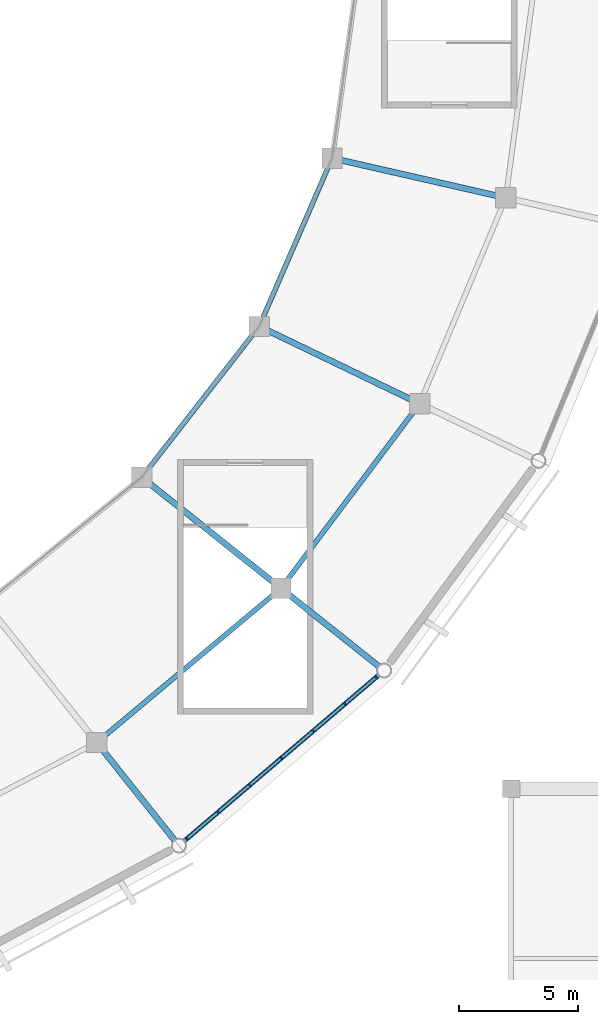
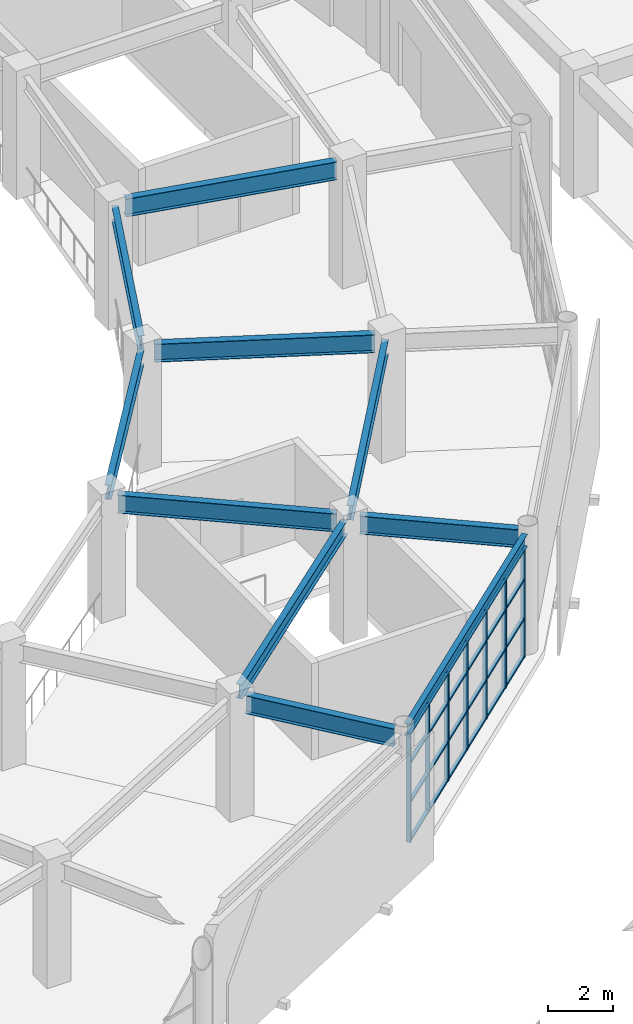
# One storey, part 33 of 112: 31 members, 10 beams, 1 element without a shape of its own.
"""IFC4 building model written with IfcOpenShell, lengths in metres."""

from ifc_helpers import new_model, si_unit, direction, frame, origin, origin_2d, place, context, subcontext, project, spatial, rectangle, i_section, extrude, material, material_profile, profile_set, type_object, element, aggregate, save


model = new_model("IFC4")

# Units and contexts
model_context = context("Model", 3, precision=1e-05, world=origin(), true_north=direction((0.0, 1.0)))
body_context = subcontext(model_context, "Body", "Model", "MODEL_VIEW")
ifc_project = project(units=[si_unit("LENGTHUNIT", "METRE"), si_unit("AREAUNIT", "SQUARE_METRE"), si_unit("VOLUMEUNIT", "CUBIC_METRE"), si_unit("PLANEANGLEUNIT", "RADIAN"), si_unit("MASSUNIT", "GRAM", prefix="KILO")], contexts=[model_context])

# Site, building, storey
site_placement = place(None, origin())
site = spatial("IfcSite", under=ifc_project, at=site_placement, CompositionType="ELEMENT")
building_placement = place(site_placement, origin())
building = spatial("IfcBuilding", under=site, at=building_placement, Name="Cuetzalor Civic Arena", CompositionType="ELEMENT")
storey_placement = place(building_placement, frame((0.0, 0.0, 11.39990234375)))
storey = spatial("IfcBuildingStorey", under=building, at=storey_placement, Name="L02", CompositionType="ELEMENT", Elevation=11.39990234375)

# Curtain wall, members
ifc_material_1 = material(Name="Anodised dark bronze aluminium and low-E solar glass", Category="aluminium")
curtain_wall_type = type_object("IfcCurtainWallType", Name="UnitisedCW_10550x4050", PredefinedType="USERDEFINED", material=ifc_material_1)
curtain_wall_placement = place(storey_placement, origin())
curtain_wall = element("IfcCurtainWall", 1, at=curtain_wall_placement, inside=storey, type_object=curtain_wall_type, Name="Drum Triangle Foyer Curtain Wall L02-043", ObjectType="UNITISED CURTAIN WALL", PredefinedType="USERDEFINED")
ifc_material_2 = material(Name="Anodised dark bronze aluminium", Category="aluminium")
ifc_material_profile_1 = material_profile(ifc_material_2, rectangle(XDim=0.06494140625, YDim=0.14990234375, at=origin_2d()), Name="ALU MULLION 65x150")
ifc_profile_set_1 = profile_set([ifc_material_profile_1], Name="Anodised dark bronze aluminium")
member_type_1 = type_object("IfcMemberType", Name="CurtainWallMullion_60x150", PredefinedType="MULLION", material=ifc_profile_set_1)
member_1_placement = place(storey_placement, frame((42.310791015625, -29.31201171875, 0.0), z_axis=(0.0, 0.0, 1.0), x_axis=(-0.760677142663, -0.64913040649, 0.0)))
member_1 = element("IfcMember", 2, at=member_1_placement, type_object=member_type_1, Name="CW-16 mullion 1", PredefinedType="MULLION", context=body_context, shape_type="SweptSolid", body=[
    extrude(rectangle(XDim=0.06494140625, YDim=0.14990234375, at=origin_2d()), origin(), (0.0, 0.0, 1.0), 4.052978515625),
])
member_2_placement = place(storey_placement, frame((41.00048828125, -30.43017578125, 0.0), z_axis=(0.0, 0.0, 1.0), x_axis=(-0.760677142663, -0.64913040649, 0.0)))
member_2 = element("IfcMember", 3, at=member_2_placement, type_object=member_type_1, Name="CW-16 mullion 2", PredefinedType="MULLION", context=body_context, shape_type="SweptSolid", body=[
    extrude(rectangle(XDim=0.06494140625, YDim=0.14990234375, at=origin_2d()), origin(), (0.0, 0.0, 1.0), 4.052978515625),
])
member_3_placement = place(storey_placement, frame((39.665283203125, -31.569580078125, 0.0), z_axis=(0.0, 0.0, 1.0), x_axis=(-0.760677142663, -0.64913040649, 0.0)))
member_3 = element("IfcMember", 4, at=member_3_placement, type_object=member_type_1, Name="CW-16 mullion 3", PredefinedType="MULLION", context=body_context, shape_type="SweptSolid", body=[
    extrude(rectangle(XDim=0.06494140625, YDim=0.14990234375, at=origin_2d()), origin(), (0.0, 0.0, 1.0), 4.052978515625),
])
member_4_placement = place(storey_placement, frame((38.330078125, -32.708984375, 0.0), z_axis=(0.0, 0.0, 1.0), x_axis=(-0.760677142663, -0.64913040649, 0.0)))
member_4 = element("IfcMember", 5, at=member_4_placement, type_object=member_type_1, Name="CW-16 mullion 4", PredefinedType="MULLION", context=body_context, shape_type="SweptSolid", body=[
    extrude(rectangle(XDim=0.06494140625, YDim=0.14990234375, at=origin_2d()), origin(), (0.0, 0.0, 1.0), 4.052978515625),
])
member_5_placement = place(storey_placement, frame((36.9951171875, -33.84814453125, 0.0), z_axis=(0.0, 0.0, 1.0), x_axis=(-0.760677142663, -0.64913040649, 0.0)))
member_5 = element("IfcMember", 6, at=member_5_placement, type_object=member_type_1, Name="CW-16 mullion 5", PredefinedType="MULLION", context=body_context, shape_type="SweptSolid", body=[
    extrude(rectangle(XDim=0.06494140625, YDim=0.14990234375, at=origin_2d()), origin(), (0.0, 0.0, 1.0), 4.052978515625),
])
member_6_placement = place(storey_placement, frame((35.659912109375, -34.987548828125, 0.0), z_axis=(0.0, 0.0, 1.0), x_axis=(-0.760677142663, -0.64913040649, 0.0)))
member_6 = element("IfcMember", 7, at=member_6_placement, type_object=member_type_1, Name="CW-16 mullion 6", PredefinedType="MULLION", context=body_context, shape_type="SweptSolid", body=[
    extrude(rectangle(XDim=0.06494140625, YDim=0.14990234375, at=origin_2d()), origin(), (0.0, 0.0, 1.0), 4.052978515625),
])
member_7_placement = place(storey_placement, frame((34.349609375, -36.105712890625, 0.0), z_axis=(0.0, 0.0, 1.0), x_axis=(-0.760677142663, -0.64913040649, 0.0)))
member_7 = element("IfcMember", 8, at=member_7_placement, type_object=member_type_1, Name="CW-16 mullion 7", PredefinedType="MULLION", context=body_context, shape_type="SweptSolid", body=[
    extrude(rectangle(XDim=0.06494140625, YDim=0.14990234375, at=origin_2d()), origin(), (0.0, 0.0, 1.0), 4.052978515625),
])
ifc_material_3 = material(Name="Anodised dark bronze aluminium", Category="aluminium")
ifc_material_profile_2 = material_profile(ifc_material_3, rectangle(XDim=0.1201171875, YDim=0.06494140625, at=origin_2d()), Name="ALU TRANSOM 65x120")
ifc_profile_set_2 = profile_set([ifc_material_profile_2], Name="Anodised dark bronze aluminium")
member_type_2 = type_object("IfcMemberType", Name="CurtainWallTransom_60x120", PredefinedType="USERDEFINED", material=ifc_profile_set_2)
member_8_placement = place(storey_placement, frame((42.2861328125, -29.3330078125, 0.03271484375), z_axis=(-0.760647860906, -0.649164718465, 0.0), x_axis=(0.649164718465, -0.760647860906, 0.0)))
member_8 = element("IfcMember", 9, at=member_8_placement, type_object=member_type_2, Name="CW-16 transom 1.1", ObjectType="TRANSOM", PredefinedType="USERDEFINED", context=body_context, shape_type="SweptSolid", body=[
    extrude(rectangle(XDim=0.1201171875, YDim=0.06494140625, at=origin_2d()), origin(), (0.0, 0.0, 1.0), 1.65771484375),
])
member_9_placement = place(storey_placement, frame((42.2861328125, -29.3330078125, 1.458984375), z_axis=(-0.760647860906, -0.649164718465, 0.0), x_axis=(0.649164718465, -0.760647860906, 0.0)))
member_9 = element("IfcMember", 10, at=member_9_placement, type_object=member_type_2, Name="CW-16 transom 1.2", ObjectType="TRANSOM", PredefinedType="USERDEFINED", context=body_context, shape_type="SweptSolid", body=[
    extrude(rectangle(XDim=0.1201171875, YDim=0.06494140625, at=origin_2d()), origin(), (0.0, 0.0, 1.0), 1.65771484375),
])
member_10_placement = place(storey_placement, frame((42.2861328125, -29.3330078125, 2.918212890625), z_axis=(-0.760647860906, -0.649164718465, 0.0), x_axis=(0.649164718465, -0.760647860906, 0.0)))
member_10 = element("IfcMember", 11, at=member_10_placement, type_object=member_type_2, Name="CW-16 transom 1.3", ObjectType="TRANSOM", PredefinedType="USERDEFINED", context=body_context, shape_type="SweptSolid", body=[
    extrude(rectangle(XDim=0.1201171875, YDim=0.06494140625, at=origin_2d()), origin(), (0.0, 0.0, 1.0), 1.65771484375),
])
member_11_placement = place(storey_placement, frame((42.2861328125, -29.3330078125, 4.0205078125), z_axis=(-0.760647860906, -0.649164718465, 0.0), x_axis=(0.649164718465, -0.760647860906, 0.0)))
member_11 = element("IfcMember", 12, at=member_11_placement, type_object=member_type_2, Name="CW-16 transom 1.4", ObjectType="TRANSOM", PredefinedType="USERDEFINED", context=body_context, shape_type="SweptSolid", body=[
    extrude(rectangle(XDim=0.1201171875, YDim=0.06494140625, at=origin_2d()), origin(), (0.0, 0.0, 1.0), 1.65771484375),
])
member_12_placement = place(storey_placement, frame((40.9755859375, -30.451416015625, 0.03271484375), z_axis=(-0.760661918834, -0.649148245963, 0.0), x_axis=(0.649148245963, -0.760661918834, 0.0)))
member_12 = element("IfcMember", 13, at=member_12_placement, type_object=member_type_2, Name="CW-16 transom 2.1", ObjectType="TRANSOM", PredefinedType="USERDEFINED", context=body_context, shape_type="SweptSolid", body=[
    extrude(rectangle(XDim=0.1201171875, YDim=0.06494140625, at=origin_2d()), origin(), (0.0, 0.0, 1.0), 1.690185546875),
])
member_13_placement = place(storey_placement, frame((40.9755859375, -30.451416015625, 1.458984375), z_axis=(-0.760661918834, -0.649148245963, 0.0), x_axis=(0.649148245963, -0.760661918834, 0.0)))
member_13 = element("IfcMember", 14, at=member_13_placement, type_object=member_type_2, Name="CW-16 transom 2.2", ObjectType="TRANSOM", PredefinedType="USERDEFINED", context=body_context, shape_type="SweptSolid", body=[
    extrude(rectangle(XDim=0.1201171875, YDim=0.06494140625, at=origin_2d()), origin(), (0.0, 0.0, 1.0), 1.690185546875),
])
member_14_placement = place(storey_placement, frame((40.9755859375, -30.451416015625, 2.918212890625), z_axis=(-0.760661918834, -0.649148245963, 0.0), x_axis=(0.649148245963, -0.760661918834, 0.0)))
member_14 = element("IfcMember", 15, at=member_14_placement, type_object=member_type_2, Name="CW-16 transom 2.3", ObjectType="TRANSOM", PredefinedType="USERDEFINED", context=body_context, shape_type="SweptSolid", body=[
    extrude(rectangle(XDim=0.1201171875, YDim=0.06494140625, at=origin_2d()), origin(), (0.0, 0.0, 1.0), 1.690185546875),
])
member_15_placement = place(storey_placement, frame((40.9755859375, -30.451416015625, 4.0205078125), z_axis=(-0.760661918834, -0.649148245963, 0.0), x_axis=(0.649148245963, -0.760661918834, 0.0)))
member_15 = element("IfcMember", 16, at=member_15_placement, type_object=member_type_2, Name="CW-16 transom 2.4", ObjectType="TRANSOM", PredefinedType="USERDEFINED", context=body_context, shape_type="SweptSolid", body=[
    extrude(rectangle(XDim=0.1201171875, YDim=0.06494140625, at=origin_2d()), origin(), (0.0, 0.0, 1.0), 1.690185546875),
])
member_16_placement = place(storey_placement, frame((39.640625, -31.590576171875, 0.03271484375), z_axis=(-0.760661918834, -0.649148245963, 0.0), x_axis=(0.649148245963, -0.760661918834, 0.0)))
member_16 = element("IfcMember", 17, at=member_16_placement, type_object=member_type_2, Name="CW-16 transom 3.1", ObjectType="TRANSOM", PredefinedType="USERDEFINED", context=body_context, shape_type="SweptSolid", body=[
    extrude(rectangle(XDim=0.1201171875, YDim=0.06494140625, at=origin_2d()), origin(), (0.0, 0.0, 1.0), 1.690185546875),
])
member_17_placement = place(storey_placement, frame((39.640625, -31.590576171875, 1.458984375), z_axis=(-0.760661918834, -0.649148245963, 0.0), x_axis=(0.649148245963, -0.760661918834, 0.0)))
member_17 = element("IfcMember", 18, at=member_17_placement, type_object=member_type_2, Name="CW-16 transom 3.2", ObjectType="TRANSOM", PredefinedType="USERDEFINED", context=body_context, shape_type="SweptSolid", body=[
    extrude(rectangle(XDim=0.1201171875, YDim=0.06494140625, at=origin_2d()), origin(), (0.0, 0.0, 1.0), 1.690185546875),
])
member_18_placement = place(storey_placement, frame((39.640625, -31.590576171875, 2.918212890625), z_axis=(-0.760661918834, -0.649148245963, 0.0), x_axis=(0.649148245963, -0.760661918834, 0.0)))
member_18 = element("IfcMember", 19, at=member_18_placement, type_object=member_type_2, Name="CW-16 transom 3.3", ObjectType="TRANSOM", PredefinedType="USERDEFINED", context=body_context, shape_type="SweptSolid", body=[
    extrude(rectangle(XDim=0.1201171875, YDim=0.06494140625, at=origin_2d()), origin(), (0.0, 0.0, 1.0), 1.690185546875),
])
member_19_placement = place(storey_placement, frame((39.640625, -31.590576171875, 4.0205078125), z_axis=(-0.760661918834, -0.649148245963, 0.0), x_axis=(0.649148245963, -0.760661918834, 0.0)))
member_19 = element("IfcMember", 20, at=member_19_placement, type_object=member_type_2, Name="CW-16 transom 3.4", ObjectType="TRANSOM", PredefinedType="USERDEFINED", context=body_context, shape_type="SweptSolid", body=[
    extrude(rectangle(XDim=0.1201171875, YDim=0.06494140625, at=origin_2d()), origin(), (0.0, 0.0, 1.0), 1.690185546875),
])
member_20_placement = place(storey_placement, frame((38.305419921875, -32.72998046875, 0.03271484375), z_axis=(-0.760661918834, -0.649148245963, 0.0), x_axis=(0.649148245963, -0.760661918834, 0.0)))
member_20 = element("IfcMember", 21, at=member_20_placement, type_object=member_type_2, Name="CW-16 transom 4.1", ObjectType="TRANSOM", PredefinedType="USERDEFINED", context=body_context, shape_type="SweptSolid", body=[
    extrude(rectangle(XDim=0.1201171875, YDim=0.06494140625, at=origin_2d()), origin(), (0.0, 0.0, 1.0), 1.690185546875),
])
member_21_placement = place(storey_placement, frame((38.305419921875, -32.72998046875, 1.458984375), z_axis=(-0.760661918834, -0.649148245963, 0.0), x_axis=(0.649148245963, -0.760661918834, 0.0)))
member_21 = element("IfcMember", 22, at=member_21_placement, type_object=member_type_2, Name="CW-16 transom 4.2", ObjectType="TRANSOM", PredefinedType="USERDEFINED", context=body_context, shape_type="SweptSolid", body=[
    extrude(rectangle(XDim=0.1201171875, YDim=0.06494140625, at=origin_2d()), origin(), (0.0, 0.0, 1.0), 1.690185546875),
])
member_22_placement = place(storey_placement, frame((38.305419921875, -32.72998046875, 2.918212890625), z_axis=(-0.760661918834, -0.649148245963, 0.0), x_axis=(0.649148245963, -0.760661918834, 0.0)))
member_22 = element("IfcMember", 23, at=member_22_placement, type_object=member_type_2, Name="CW-16 transom 4.3", ObjectType="TRANSOM", PredefinedType="USERDEFINED", context=body_context, shape_type="SweptSolid", body=[
    extrude(rectangle(XDim=0.1201171875, YDim=0.06494140625, at=origin_2d()), origin(), (0.0, 0.0, 1.0), 1.690185546875),
])
member_23_placement = place(storey_placement, frame((38.305419921875, -32.72998046875, 4.0205078125), z_axis=(-0.760661918834, -0.649148245963, 0.0), x_axis=(0.649148245963, -0.760661918834, 0.0)))
member_23 = element("IfcMember", 24, at=member_23_placement, type_object=member_type_2, Name="CW-16 transom 4.4", ObjectType="TRANSOM", PredefinedType="USERDEFINED", context=body_context, shape_type="SweptSolid", body=[
    extrude(rectangle(XDim=0.1201171875, YDim=0.06494140625, at=origin_2d()), origin(), (0.0, 0.0, 1.0), 1.690185546875),
])
member_24_placement = place(storey_placement, frame((36.97021484375, -33.869384765625, 0.03271484375), z_axis=(-0.760661918834, -0.649148245963, 0.0), x_axis=(0.649148245963, -0.760661918834, 0.0)))
member_24 = element("IfcMember", 25, at=member_24_placement, type_object=member_type_2, Name="CW-16 transom 5.1", ObjectType="TRANSOM", PredefinedType="USERDEFINED", context=body_context, shape_type="SweptSolid", body=[
    extrude(rectangle(XDim=0.1201171875, YDim=0.06494140625, at=origin_2d()), origin(), (0.0, 0.0, 1.0), 1.690185546875),
])
member_25_placement = place(storey_placement, frame((36.97021484375, -33.869384765625, 1.458984375), z_axis=(-0.760661918834, -0.649148245963, 0.0), x_axis=(0.649148245963, -0.760661918834, 0.0)))
member_25 = element("IfcMember", 26, at=member_25_placement, type_object=member_type_2, Name="CW-16 transom 5.2", ObjectType="TRANSOM", PredefinedType="USERDEFINED", context=body_context, shape_type="SweptSolid", body=[
    extrude(rectangle(XDim=0.1201171875, YDim=0.06494140625, at=origin_2d()), origin(), (0.0, 0.0, 1.0), 1.690185546875),
])
member_26_placement = place(storey_placement, frame((36.97021484375, -33.869384765625, 2.918212890625), z_axis=(-0.760661918834, -0.649148245963, 0.0), x_axis=(0.649148245963, -0.760661918834, 0.0)))
member_26 = element("IfcMember", 27, at=member_26_placement, type_object=member_type_2, Name="CW-16 transom 5.3", ObjectType="TRANSOM", PredefinedType="USERDEFINED", context=body_context, shape_type="SweptSolid", body=[
    extrude(rectangle(XDim=0.1201171875, YDim=0.06494140625, at=origin_2d()), origin(), (0.0, 0.0, 1.0), 1.690185546875),
])
member_27_placement = place(storey_placement, frame((36.97021484375, -33.869384765625, 4.0205078125), z_axis=(-0.760661918834, -0.649148245963, 0.0), x_axis=(0.649148245963, -0.760661918834, 0.0)))
member_27 = element("IfcMember", 28, at=member_27_placement, type_object=member_type_2, Name="CW-16 transom 5.4", ObjectType="TRANSOM", PredefinedType="USERDEFINED", context=body_context, shape_type="SweptSolid", body=[
    extrude(rectangle(XDim=0.1201171875, YDim=0.06494140625, at=origin_2d()), origin(), (0.0, 0.0, 1.0), 1.690185546875),
])
member_28_placement = place(storey_placement, frame((35.63525390625, -35.008544921875, 0.03271484375), z_axis=(-0.760647860906, -0.649164718465, 0.0), x_axis=(0.649164718465, -0.760647860906, 0.0)))
member_28 = element("IfcMember", 29, at=member_28_placement, type_object=member_type_2, Name="CW-16 transom 6.1", ObjectType="TRANSOM", PredefinedType="USERDEFINED", context=body_context, shape_type="SweptSolid", body=[
    extrude(rectangle(XDim=0.1201171875, YDim=0.06494140625, at=origin_2d()), origin(), (0.0, 0.0, 1.0), 1.65771484375),
])
member_29_placement = place(storey_placement, frame((35.63525390625, -35.008544921875, 1.458984375), z_axis=(-0.760647860906, -0.649164718465, 0.0), x_axis=(0.649164718465, -0.760647860906, 0.0)))
member_29 = element("IfcMember", 30, at=member_29_placement, type_object=member_type_2, Name="CW-16 transom 6.2", ObjectType="TRANSOM", PredefinedType="USERDEFINED", context=body_context, shape_type="SweptSolid", body=[
    extrude(rectangle(XDim=0.1201171875, YDim=0.06494140625, at=origin_2d()), origin(), (0.0, 0.0, 1.0), 1.65771484375),
])
member_30_placement = place(storey_placement, frame((35.63525390625, -35.008544921875, 2.918212890625), z_axis=(-0.760647860906, -0.649164718465, 0.0), x_axis=(0.649164718465, -0.760647860906, 0.0)))
member_30 = element("IfcMember", 31, at=member_30_placement, type_object=member_type_2, Name="CW-16 transom 6.3", ObjectType="TRANSOM", PredefinedType="USERDEFINED", context=body_context, shape_type="SweptSolid", body=[
    extrude(rectangle(XDim=0.1201171875, YDim=0.06494140625, at=origin_2d()), origin(), (0.0, 0.0, 1.0), 1.65771484375),
])
member_31_placement = place(storey_placement, frame((35.63525390625, -35.008544921875, 4.0205078125), z_axis=(-0.760647860906, -0.649164718465, 0.0), x_axis=(0.649164718465, -0.760647860906, 0.0)))
member_31 = element("IfcMember", 32, at=member_31_placement, type_object=member_type_2, Name="CW-16 transom 6.4", ObjectType="TRANSOM", PredefinedType="USERDEFINED", context=body_context, shape_type="SweptSolid", body=[
    extrude(rectangle(XDim=0.1201171875, YDim=0.06494140625, at=origin_2d()), origin(), (0.0, 0.0, 1.0), 1.65771484375),
])
aggregate(curtain_wall, [member_1, member_2, member_3, member_4, member_5, member_6, member_7, member_8, member_9, member_10, member_11, member_12, member_13, member_14, member_15, member_16, member_17, member_18, member_19, member_20, member_21, member_22, member_23, member_24, member_25, member_26, member_27, member_28, member_29, member_30, member_31])

# Beams
ifc_material_4 = material(Name="Steel S355", Category="steel")
ifc_material_profile_3 = material_profile(ifc_material_4, i_section(OverallWidth=0.18994140625, OverallDepth=0.45703125, WebThickness=0.009033203125, FlangeThickness=0.014404296875, at=origin_2d()), Name="W460x74")
ifc_profile_set_3 = profile_set([ifc_material_profile_3], Name="Steel S355")
beam_type_1 = type_object("IfcBeamType", Name="FacadeSpandrelBeam_W460", PredefinedType="SPANDREL", material=ifc_profile_set_3)
beam_1_placement = place(storey_placement, frame((34.23193359375, -36.2060546875, 4.29150390625), z_axis=(0.760676650628, 0.649130983076, 0.0), x_axis=(-0.649130983076, 0.760676650628, 0.0)))
element("IfcBeam", 33, at=beam_1_placement, inside=storey, type_object=beam_type_1, Name="Drum Perimeter Spandrel L02-S25", PredefinedType="SPANDREL", context=body_context, shape_type="SweptSolid", body=[
    extrude(i_section(OverallWidth=0.18994140625, OverallDepth=0.45703125, WebThickness=0.009033203125, FlangeThickness=0.014404296875, at=origin_2d()), origin(), (0.0, 0.0, 1.0), 10.77490234375),
])
ifc_material_5 = material(Name="Steel S355", Category="steel")
ifc_material_profile_4 = material_profile(ifc_material_5, i_section(OverallWidth=0.208984375, OverallDepth=0.532958984375, WebThickness=0.01025390625, FlangeThickness=0.015625, at=origin_2d()), Name="W530x92")
ifc_profile_set_4 = profile_set([ifc_material_profile_4], Name="Steel S355")
beam_type_2 = type_object("IfcBeamType", Name="SteelCollarGirder_W530", PredefinedType="BEAM", material=ifc_profile_set_4)
beam_2_placement = place(storey_placement, frame((30.834716796875, -31.817626953125, 4.253662109375), z_axis=(0.766937066427, 0.641722320121, 0.0), x_axis=(-0.641722320121, 0.766937066427, 0.0)))
element("IfcBeam", 34, at=beam_2_placement, inside=storey, type_object=beam_type_2, Name="Drum Concourse Ring Girder L02-S25", PredefinedType="BEAM", context=body_context, shape_type="SweptSolid", body=[
    extrude(i_section(OverallWidth=0.208984375, OverallDepth=0.532958984375, WebThickness=0.01025390625, FlangeThickness=0.015625, at=origin_2d()), origin(), (0.0, 0.0, 1.0), 9.37646484375),
])
beam_3_placement = place(storey_placement, frame((38.531982421875, -25.26708984375, 4.253662109375), z_axis=(0.600491348624, 0.799631252658, 0.0), x_axis=(-0.799631252658, 0.600491348624, 0.0)))
element("IfcBeam", 35, at=beam_3_placement, inside=storey, type_object=beam_type_2, Name="Drum Concourse Ring Girder L02-S26", PredefinedType="BEAM", context=body_context, shape_type="SweptSolid", body=[
    extrude(i_section(OverallWidth=0.208984375, OverallDepth=0.532958984375, WebThickness=0.01025390625, FlangeThickness=0.015625, at=origin_2d()), origin(), (0.0, 0.0, 1.0), 8.9814453125),
])
beam_4_placement = place(storey_placement, frame((32.6669921875, -20.602783203125, 4.253662109375), z_axis=(0.614261103096, 0.789102843249, 0.0), x_axis=(-0.789102843249, 0.614261103096, 0.0)))
element("IfcBeam", 36, at=beam_4_placement, inside=storey, type_object=beam_type_2, Name="Bowl Inner Ring Girder L02-S26", PredefinedType="BEAM", context=body_context, shape_type="SweptSolid", body=[
    extrude(i_section(OverallWidth=0.208984375, OverallDepth=0.532958984375, WebThickness=0.01025390625, FlangeThickness=0.015625, at=origin_2d()), origin(), (0.0, 0.0, 1.0), 7.329345703125),
])
beam_5_placement = place(storey_placement, frame((37.533447265625, -14.204833984375, 4.253662109375), z_axis=(0.39772689401, 0.917503851644, 0.0), x_axis=(-0.917503851644, 0.39772689401, 0.0)))
element("IfcBeam", 37, at=beam_5_placement, inside=storey, type_object=beam_type_2, Name="Bowl Inner Ring Girder L02-S27", PredefinedType="BEAM", context=body_context, shape_type="SweptSolid", body=[
    extrude(i_section(OverallWidth=0.208984375, OverallDepth=0.532958984375, WebThickness=0.01025390625, FlangeThickness=0.015625, at=origin_2d()), origin(), (0.0, 0.0, 1.0), 6.9970703125),
])
ifc_material_6 = material(Name="Steel S355", Category="steel")
ifc_material_profile_5 = material_profile(ifc_material_6, i_section(OverallWidth=0.2529296875, OverallDepth=0.677978515625, WebThickness=0.01171875, FlangeThickness=0.016357421875, at=origin_2d()), Name="W690x125")
ifc_profile_set_5 = profile_set([ifc_material_profile_5], Name="Steel S355")
beam_type_3 = type_object("IfcBeamType", Name="SteelPrimaryGirder_W690", PredefinedType="BEAM", material=ifc_profile_set_5)
for number, where, z_axis, x_axis, name in (
    (38, (30.775390625, -32.336669921875, 4.18115234375), (0.623515538789, -0.781810957258, 0.0), (0.781810957258, 0.623515538789, 0.0), "Drum Radial Girder L02-R25"),
    (39, (38.59130859375, -25.78759765625, 4.18115234375), (0.781810957258, -0.623515538789, 0.0), (0.623515538789, 0.781810957258, 0.0), "Drum Radial Girder L02-R26"),
):
    element("IfcBeam", number, at=place(storey_placement, frame(where, z_axis=z_axis, x_axis=x_axis)), inside=storey, type_object=beam_type_3, Name=name, PredefinedType="BEAM", context=body_context, shape_type="SweptSolid", body=[
        extrude(i_section(OverallWidth=0.2529296875, OverallDepth=0.677978515625, WebThickness=0.01171875, FlangeThickness=0.016357421875, at=origin_2d()), origin(), (0.0, 0.0, 1.0), 4.89990234375),
    ])
for number, where, z_axis, x_axis, name in (
    (40, (32.7275390625, -21.111328125, 4.18115234375), (0.781826957604, -0.623495475816, 0.0), (0.623495475816, 0.781826957604, 0.0), "Drum Inner Radial Girder L02-R26"),
    (41, (37.714599609375, -14.69140625, 4.18115234375), (0.900975603874, -0.433869751452, 0.0), (0.433869751452, 0.900975603874, 0.0), "Drum Inner Radial Girder L02-R27"),
):
    element("IfcBeam", number, at=place(storey_placement, frame(where, z_axis=z_axis, x_axis=x_axis)), inside=storey, type_object=beam_type_3, Name=name, PredefinedType="BEAM", context=body_context, shape_type="SweptSolid", body=[
        extrude(i_section(OverallWidth=0.2529296875, OverallDepth=0.677978515625, WebThickness=0.01171875, FlangeThickness=0.016357421875, at=origin_2d()), origin(), (0.0, 0.0, 1.0), 6.780029296875),
    ])
beam_6_placement = place(storey_placement, frame((40.810546875, -7.53466796875, 4.18115234375), z_axis=(0.974931535482, -0.222505058645, 0.0), x_axis=(0.222505058645, 0.974931535482, 0.0)))
element("IfcBeam", 42, at=beam_6_placement, inside=storey, type_object=beam_type_3, Name="Drum Inner Radial Girder L02-R28", PredefinedType="BEAM", context=body_context, shape_type="SweptSolid", body=[
    extrude(i_section(OverallWidth=0.2529296875, OverallDepth=0.677978515625, WebThickness=0.01171875, FlangeThickness=0.016357421875, at=origin_2d()), origin(), (0.0, 0.0, 1.0), 6.77978515625),
])

save(model, "model.ifc")
